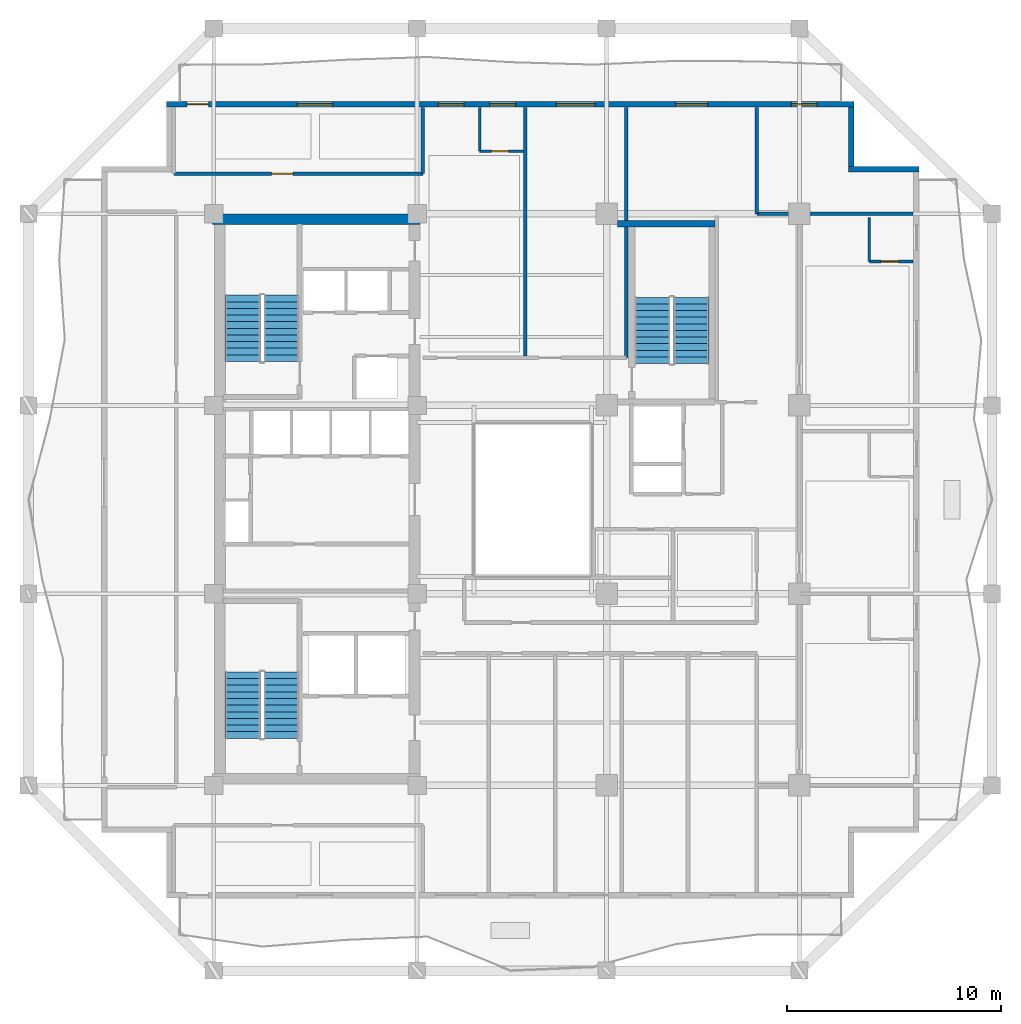
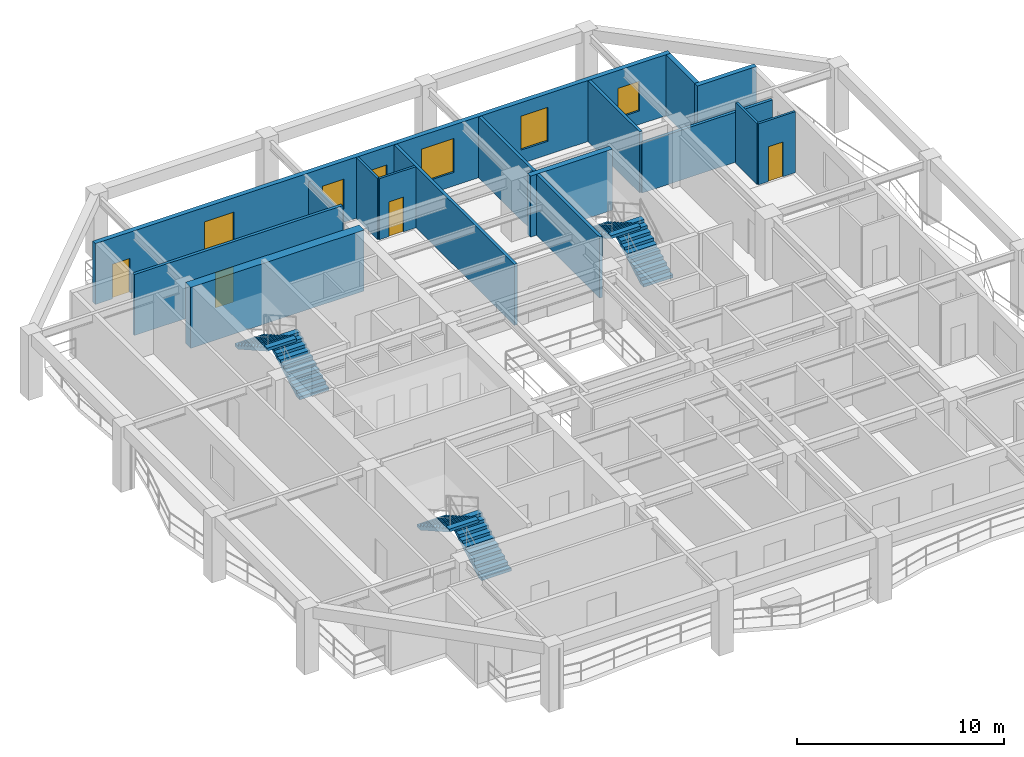
# One storey, part 6 of 10: 15 walls, 6 stair flights, 6 windows, 4 doors, 10 openings, 3 elements without a shape of their own.
"""IFC4 building model written with IfcOpenShell, lengths in metres."""

from ifc_helpers import new_model, si_unit, direction, frame, frame_2d, origin, place, context, subcontext, project, spatial, polyline, rectangle, outline, extrude, material, layer, layer_set, type_object, element, fill, aggregate, save


model = new_model("IFC4")

# Units and contexts
model_context = context("Model", 3, precision=1e-05, world=origin(), true_north=direction((0.0, 1.0)))
body_context = subcontext(model_context, "Body", "Model", "MODEL_VIEW")
ifc_project = project(units=[si_unit("LENGTHUNIT", "METRE"), si_unit("AREAUNIT", "SQUARE_METRE"), si_unit("VOLUMEUNIT", "CUBIC_METRE"), si_unit("PLANEANGLEUNIT", "RADIAN"), si_unit("MASSUNIT", "GRAM", prefix="KILO")], contexts=[model_context])

# Site, building, storey
site_placement = place(None, origin())
site = spatial("IfcSite", under=ifc_project, at=site_placement, CompositionType="ELEMENT")
building_placement = place(site_placement, origin())
building = spatial("IfcBuilding", under=site, at=building_placement, Name="Kundavana Baori Tower", CompositionType="ELEMENT")
storey_placement = place(building_placement, frame((0.0, 0.0, 138.64990234375)))
storey = spatial("IfcBuildingStorey", under=building, at=storey_placement, Name="L33", CompositionType="ELEMENT", Elevation=138.64990234375)

# Walls
ifc_material_1 = material(Name="Concrete C50/60", Category="concrete")
ifc_layer_1 = layer(ifc_material_1, 0.5, Name="WL-CORE-500")
ifc_layer_set_1 = layer_set([ifc_layer_1], Name="Concrete C50/60")
wall_type_1 = type_object("IfcWallType", Name="WL-CORE-500", PredefinedType="SHEAR", material=ifc_layer_set_1)
wall_1_placement = place(storey_placement, frame((15.39990234375, 41.68994140625, 0.0), z_axis=(0.0, 0.0, 1.0), x_axis=(1.0, 0.0, 0.0)))
element("IfcWall", 1, at=wall_1_placement, inside=storey, type_object=wall_type_1, Name="L33 Offset Core North Shear Wall", PredefinedType="SHEAR", context=body_context, shape_type="SweptSolid", body=[
    extrude(rectangle(XDim=9.68017578125, YDim=0.5, at=frame_2d((4.840087890625, 0.0))), origin(), (0.0, 0.0, 1.0), 3.60009765625),
])
ifc_material_2 = material(Name="Kiln-Fired Terracotta Brick-Slip Masonry on Concrete C40/50", Category="masonry")
ifc_layer_2 = layer(ifc_material_2, 0.260009765625, Name="WL-EXT-BRK-260")
ifc_layer_set_2 = layer_set([ifc_layer_2], Name="Kiln-Fired Terracotta Brick-Slip Masonry on Concrete C40/50")
wall_type_2 = type_object("IfcWallType", Name="WL-EXT-BRK-260", PredefinedType="SOLIDWALL", material=ifc_layer_set_2)
wall_2_placement = place(storey_placement, frame((48.39990234375, 44.02001953125, 0.0), z_axis=(0.0, 0.0, 1.0), x_axis=(-1.0, 0.0, 0.0)))
element("IfcWall", 2, at=wall_2_placement, inside=storey, type_object=wall_type_2, Name="L33 Exterior Insulated Facade Wall 05", PredefinedType="SOLIDWALL", context=body_context, shape_type="SweptSolid", body=[
    extrude(rectangle(XDim=3.309814453125, YDim=0.260009765625, at=frame_2d((1.65478515625, 0.0))), origin(), (0.0, 0.0, 1.0), 3.60009765625),
])
wall_3_placement = place(storey_placement, frame((45.219970703125, 44.14990234375, 0.0), z_axis=(0.0, 0.0, 1.0), x_axis=(0.0, 1.0, 0.0)))
element("IfcWall", 3, at=wall_3_placement, inside=storey, type_object=wall_type_2, Name="L33 Exterior Insulated Facade Wall 06", PredefinedType="SOLIDWALL", context=body_context, shape_type="SweptSolid", body=[
    extrude(rectangle(XDim=2.7900390625, YDim=0.260009765625, at=frame_2d((1.39501953125, 0.0))), origin(), (0.0, 0.0, 1.0), 3.60009765625),
])

# Wall, openings, door, windows
wall_4_placement = place(storey_placement, frame((45.35009765625, 47.070068359375, 0.0), z_axis=(0.0, 0.0, 1.0), x_axis=(-1.0, 0.0, 0.0)))
wall_4 = element("IfcWall", 4, at=wall_4_placement, inside=storey, type_object=wall_type_2, Name="L33 Exterior Insulated Facade Wall 07", PredefinedType="SOLIDWALL", context=body_context, shape_type="SweptSolid", body=[
    extrude(rectangle(XDim=32.10009765625, YDim=0.260009765625, at=frame_2d((16.050048828125, 0.0))), origin(), (0.0, 0.0, 1.0), 3.60009765625),
])
opening_1_placement = place(wall_4_placement, frame((30.14990234375, 0.0, 0.0)))
opening_1 = element("IfcOpeningElement", 5, at=opening_1_placement, cuts=wall_4, Name="Opening BD-1", PredefinedType="OPENING", context=body_context, shape_type="SweptSolid", body=[
    extrude(rectangle(XDim=1.0, YDim=2.050048828125, at=frame_2d((0.5, 1.02490234375))), frame((0.0, 0.14013671875, 0.0), z_axis=(0.0, -1.0, 0.0), x_axis=(1.0, 0.0, 0.0)), (0.0, 0.0, 1.0), 0.280029296875),
])
opening_2_placement = place(wall_4_placement, frame((24.344970703125, 0.0, 0.800048828125)))
opening_2 = element("IfcOpeningElement", 6, at=opening_2_placement, cuts=wall_4, Name="Opening W-08", PredefinedType="OPENING", context=body_context, shape_type="SweptSolid", body=[
    extrude(rectangle(XDim=1.64990234375, YDim=1.949951171875, at=frame_2d((0.824951171875, 0.97509765625))), frame((0.0, 0.14013671875, 0.0), z_axis=(0.0, -1.0, 0.0), x_axis=(1.0, 0.0, 0.0)), (0.0, 0.0, 1.0), 0.280029296875),
])
opening_3_placement = place(wall_4_placement, frame((18.205078125, 0.0, 0.800048828125)))
opening_3 = element("IfcOpeningElement", 7, at=opening_3_placement, cuts=wall_4, Name="Opening W-03", PredefinedType="OPENING", context=body_context, shape_type="SweptSolid", body=[
    extrude(rectangle(XDim=1.199951171875, YDim=1.75, at=frame_2d((0.60009765625, 0.875))), frame((0.0, 0.14013671875, 0.0), z_axis=(0.0, -1.0, 0.0), x_axis=(1.0, 0.0, 0.0)), (0.0, 0.0, 1.0), 0.280029296875),
])
opening_4_placement = place(wall_4_placement, frame((15.81494140625, 0.0, 0.800048828125)))
opening_4 = element("IfcOpeningElement", 8, at=opening_4_placement, cuts=wall_4, Name="Opening W-03", PredefinedType="OPENING", context=body_context, shape_type="SweptSolid", body=[
    extrude(rectangle(XDim=1.199951171875, YDim=1.75, at=frame_2d((0.60009765625, 0.875))), frame((0.0, 0.14013671875, 0.0), z_axis=(0.0, -1.0, 0.0), x_axis=(1.0, 0.0, 0.0)), (0.0, 0.0, 1.0), 0.280029296875),
])
opening_5_placement = place(wall_4_placement, frame((12.090087890625, 0.0, 0.800048828125)))
opening_5 = element("IfcOpeningElement", 9, at=opening_5_placement, cuts=wall_4, Name="Opening W-01", PredefinedType="OPENING", context=body_context, shape_type="SweptSolid", body=[
    extrude(rectangle(XDim=1.800048828125, YDim=2.0, at=frame_2d((0.89990234375, 1.0))), frame((0.0, 0.14013671875, 0.0), z_axis=(0.0, -1.0, 0.0), x_axis=(1.0, 0.0, 0.0)), (0.0, 0.0, 1.0), 0.280029296875),
])
opening_6_placement = place(wall_4_placement, frame((6.830078125, 0.0, 0.800048828125)))
opening_6 = element("IfcOpeningElement", 10, at=opening_6_placement, cuts=wall_4, Name="Opening W-02", PredefinedType="OPENING", context=body_context, shape_type="SweptSolid", body=[
    extrude(rectangle(XDim=1.5, YDim=2.0, at=frame_2d((0.75, 1.0))), frame((0.0, 0.14013671875, 0.0), z_axis=(0.0, -1.0, 0.0), x_axis=(1.0, 0.0, 0.0)), (0.0, 0.0, 1.0), 0.280029296875),
])
opening_7_placement = place(wall_4_placement, frame((1.719970703125, 0.0, 0.800048828125)))
opening_7 = element("IfcOpeningElement", 11, at=opening_7_placement, cuts=wall_4, Name="Opening W-03", PredefinedType="OPENING", context=body_context, shape_type="SweptSolid", body=[
    extrude(rectangle(XDim=1.199951171875, YDim=1.75, at=frame_2d((0.60009765625, 0.875))), frame((0.0, 0.14013671875, 0.0), z_axis=(0.0, -1.0, 0.0), x_axis=(1.0, 0.0, 0.0)), (0.0, 0.0, 1.0), 0.280029296875),
])
ifc_material_3 = material(Name="Architectural Patinated Bronze Metalwork")
door_type_1 = type_object("IfcDoorType", Name="DR-EXT-LOG-1000", OperationType="NOTDEFINED", PredefinedType="DOOR", material=ifc_material_3)
door_1_placement = place(opening_1_placement, frame((1.0, 0.0, 0.0), z_axis=(0.0, 0.0, 1.0), x_axis=(-1.0, 0.0, 0.0)))
door_1 = element("IfcDoor", 12, at=door_1_placement, inside=storey, type_object=door_type_1, Name="L33 Loggia Balcony Access Door N", OperationType="SINGLE_SWING_LEFT", OverallHeight=2.050048828125, OverallWidth=1.0, PredefinedType="DOOR", context=body_context, shape_type="SweptSolid", body=[
    extrude(rectangle(XDim=1.0, YDim=2.050048828125, at=frame_2d((0.5, 1.02490234375))), frame((0.0, 0.02490234375, 0.0), z_axis=(0.0, -1.0, 0.0), x_axis=(1.0, 0.0, 0.0)), (0.0, 0.0, 1.0), 0.050048828125),
])
fill(opening_1, door_1)
ifc_material_4 = material(Name="Double-Glazed Solar-Control Low-E Insulated Glass", Category="glass")
window_type_1 = type_object("IfcWindowType", Name="WIN-LOG-1200x1750", PartitioningType="SINGLE_PANEL", PredefinedType="WINDOW", material=ifc_material_4)
window_1_placement = place(opening_3_placement, origin())
window_1 = element("IfcWindow", 13, at=window_1_placement, inside=storey, type_object=window_type_1, Name="L33 Recessed Loggia Window N-2", OverallHeight=1.75, OverallWidth=1.199951171875, PartitioningType="SINGLE_PANEL", PredefinedType="WINDOW", context=body_context, shape_type="SweptSolid", body=[
    extrude(rectangle(XDim=1.199951171875, YDim=1.75, at=frame_2d((0.60009765625, 0.875))), frame((0.0, 0.030029296875, 0.0), z_axis=(0.0, -1.0, 0.0), x_axis=(1.0, 0.0, 0.0)), (0.0, 0.0, 1.0), 0.06005859375),
])
fill(opening_3, window_1)
window_2_placement = place(opening_4_placement, origin())
window_2 = element("IfcWindow", 14, at=window_2_placement, inside=storey, type_object=window_type_1, Name="L33 Recessed Loggia Window N-3", OverallHeight=1.75, OverallWidth=1.199951171875, PartitioningType="SINGLE_PANEL", PredefinedType="WINDOW", context=body_context, shape_type="SweptSolid", body=[
    extrude(rectangle(XDim=1.199951171875, YDim=1.75, at=frame_2d((0.60009765625, 0.875))), frame((0.0, 0.030029296875, 0.0), z_axis=(0.0, -1.0, 0.0), x_axis=(1.0, 0.0, 0.0)), (0.0, 0.0, 1.0), 0.06005859375),
])
fill(opening_4, window_2)
window_3_placement = place(opening_7_placement, origin())
window_3 = element("IfcWindow", 15, at=window_3_placement, inside=storey, type_object=window_type_1, Name="L33 Recessed Loggia Window N-6", OverallHeight=1.75, OverallWidth=1.199951171875, PartitioningType="SINGLE_PANEL", PredefinedType="WINDOW", context=body_context, shape_type="SweptSolid", body=[
    extrude(rectangle(XDim=1.199951171875, YDim=1.75, at=frame_2d((0.60009765625, 0.875))), frame((0.0, 0.030029296875, 0.0), z_axis=(0.0, -1.0, 0.0), x_axis=(1.0, 0.0, 0.0)), (0.0, 0.0, 1.0), 0.06005859375),
])
fill(opening_7, window_3)
ifc_material_5 = material(Name="Double-Glazed Solar-Control Low-E Insulated Glass", Category="glass")
window_type_2 = type_object("IfcWindowType", Name="WIN-LOG-1500x2000", PartitioningType="SINGLE_PANEL", PredefinedType="WINDOW", material=ifc_material_5)
window_4_placement = place(opening_6_placement, origin())
window_4 = element("IfcWindow", 16, at=window_4_placement, inside=storey, type_object=window_type_2, Name="L33 Recessed Loggia Window N-5", OverallHeight=2.0, OverallWidth=1.5, PartitioningType="SINGLE_PANEL", PredefinedType="WINDOW", context=body_context, shape_type="SweptSolid", body=[
    extrude(rectangle(XDim=1.5, YDim=2.0, at=frame_2d((0.75, 1.0))), frame((0.0, 0.030029296875, 0.0), z_axis=(0.0, -1.0, 0.0), x_axis=(1.0, 0.0, 0.0)), (0.0, 0.0, 1.0), 0.06005859375),
])
fill(opening_6, window_4)
ifc_material_6 = material(Name="Double-Glazed Solar-Control Low-E Insulated Glass", Category="glass")
window_type_3 = type_object("IfcWindowType", Name="WIN-LOG-1650x1950", PartitioningType="SINGLE_PANEL", PredefinedType="WINDOW", material=ifc_material_6)
window_5_placement = place(opening_2_placement, origin())
window_5 = element("IfcWindow", 17, at=window_5_placement, inside=storey, type_object=window_type_3, Name="L33 Recessed Loggia Window N-1", OverallHeight=1.949951171875, OverallWidth=1.64990234375, PartitioningType="SINGLE_PANEL", PredefinedType="WINDOW", context=body_context, shape_type="SweptSolid", body=[
    extrude(rectangle(XDim=1.64990234375, YDim=1.949951171875, at=frame_2d((0.824951171875, 0.97509765625))), frame((0.0, 0.030029296875, 0.0), z_axis=(0.0, -1.0, 0.0), x_axis=(1.0, 0.0, 0.0)), (0.0, 0.0, 1.0), 0.06005859375),
])
fill(opening_2, window_5)
ifc_material_7 = material(Name="Double-Glazed Solar-Control Low-E Insulated Glass", Category="glass")
window_type_4 = type_object("IfcWindowType", Name="WIN-LOG-1800x2000", PartitioningType="SINGLE_PANEL", PredefinedType="WINDOW", material=ifc_material_7)
window_6_placement = place(opening_5_placement, origin())
window_6 = element("IfcWindow", 18, at=window_6_placement, inside=storey, type_object=window_type_4, Name="L33 Recessed Loggia Window N-4", OverallHeight=2.0, OverallWidth=1.800048828125, PartitioningType="SINGLE_PANEL", PredefinedType="WINDOW", context=body_context, shape_type="SweptSolid", body=[
    extrude(rectangle(XDim=1.800048828125, YDim=2.0, at=frame_2d((0.89990234375, 1.0))), frame((0.0, 0.030029296875, 0.0), z_axis=(0.0, -1.0, 0.0), x_axis=(1.0, 0.0, 0.0)), (0.0, 0.0, 1.0), 0.06005859375),
])
fill(opening_5, window_6)

# Wall
ifc_material_8 = material(Name="Fire-Rated Gypsum Drywall on Galvanised Steel Studs", Category="steel")
ifc_layer_3 = layer(ifc_material_8, 0.1650390625, Name="WL-PART-165")
ifc_layer_set_3 = layer_set([ifc_layer_3], Name="Fire-Rated Gypsum Drywall on Galvanised Steel Studs")
wall_type_3 = type_object("IfcWallType", Name="WL-PART-165", PredefinedType="PARTITIONING", material=ifc_layer_set_3)
wall_5_placement = place(storey_placement, frame((40.820068359375, 41.949951171875, 0.0), z_axis=(0.0, 0.0, 1.0), x_axis=(1.0, 0.0, 0.0)))
element("IfcWall", 19, at=wall_5_placement, inside=storey, type_object=wall_type_3, Name="WL-L33-HEN", PredefinedType="PARTITIONING", context=body_context, shape_type="SweptSolid", body=[
    extrude(rectangle(XDim=7.300048828125, YDim=0.1650390625, at=frame_2d((3.64990234375, 0.0))), origin(), (0.0, 0.0, 1.0), 2.9501953125),
])

# Wall, opening, door
wall_6_placement = place(storey_placement, frame((13.590087890625, 43.820068359375, 0.0), z_axis=(0.0, 0.0, 1.0), x_axis=(1.0, 0.0, 0.0)))
wall_6 = element("IfcWall", 20, at=wall_6_placement, inside=storey, type_object=wall_type_3, Name="WL-L33-HNC", PredefinedType="PARTITIONING", context=body_context, shape_type="SweptSolid", body=[
    extrude(rectangle(XDim=11.6298828125, YDim=0.1650390625, at=frame_2d((5.81494140625, 0.0))), origin(), (0.0, 0.0, 1.0), 3.60009765625),
])
opening_8_placement = place(wall_6_placement, frame((4.56005859375, 0.0, 0.0)))
opening_8 = element("IfcOpeningElement", 21, at=opening_8_placement, cuts=wall_6, Name="Opening ID-100", PredefinedType="OPENING", context=body_context, shape_type="SweptSolid", body=[
    extrude(rectangle(XDim=1.0, YDim=2.080078125, at=frame_2d((0.5, 1.0400390625))), frame((0.0, 0.092529296875, 0.0), z_axis=(0.0, -1.0, 0.0), x_axis=(1.0, 0.0, 0.0)), (0.0, 0.0, 1.0), 0.18505859375),
])
ifc_material_9 = material(Name="Engineered Teak Solid-Core Timber Veneer", Category="wood")
door_type_2 = type_object("IfcDoorType", Name="DR-INT-1000", OperationType="NOTDEFINED", PredefinedType="DOOR", material=ifc_material_9)
door_2_placement = place(opening_8_placement, origin())
door_2 = element("IfcDoor", 22, at=door_2_placement, inside=storey, type_object=door_type_2, Name="DR-L33-HMNW", OperationType="SINGLE_SWING_RIGHT", OverallHeight=2.080078125, OverallWidth=1.0, PredefinedType="DOOR", context=body_context, shape_type="SweptSolid", body=[
    extrude(rectangle(XDim=1.0, YDim=2.080078125, at=frame_2d((0.5, 1.0400390625))), frame((0.0, 0.02490234375, 0.0), z_axis=(0.0, -1.0, 0.0), x_axis=(1.0, 0.0, 0.0)), (0.0, 0.0, 1.0), 0.050048828125),
])
fill(opening_8, door_2)

# Walls
wall_7_placement = place(storey_placement, frame((25.219970703125, 43.820068359375, 0.0), z_axis=(0.0, 0.0, 1.0), x_axis=(0.0, 1.0, 0.0)))
element("IfcWall", 23, at=wall_7_placement, inside=storey, type_object=wall_type_3, Name="WL-L33-HNCE", PredefinedType="PARTITIONING", context=body_context, shape_type="SweptSolid", body=[
    extrude(rectangle(XDim=3.099853515625, YDim=0.1650390625, at=frame_2d((1.5498046875, 0.0))), origin(), (0.0, 0.0, 1.0), 3.10009765625),
])
wall_8_placement = place(storey_placement, frame((34.719970703125, 35.219970703125, 0.0), z_axis=(0.0, 0.0, 1.0), x_axis=(0.0, 1.0, 0.0)))
element("IfcWall", 24, at=wall_8_placement, inside=storey, type_object=wall_type_3, Name="WL-L33-HNEND", PredefinedType="PARTITIONING", context=body_context, shape_type="SweptSolid", body=[
    extrude(rectangle(XDim=11.699951171875, YDim=0.1650390625, at=frame_2d((5.85009765625, 0.0))), origin(), (0.0, 0.0, 1.0), 3.60009765625),
])
wall_9_placement = place(storey_placement, frame((30.0, 35.300048828125, 0.0), z_axis=(0.0, 0.0, 1.0), x_axis=(0.0, 1.0, 0.0)))
element("IfcWall", 25, at=wall_9_placement, inside=storey, type_object=wall_type_3, Name="WL-L33-HND1", PredefinedType="PARTITIONING", context=body_context, shape_type="SweptSolid", body=[
    extrude(rectangle(XDim=11.619873046875, YDim=0.1650390625, at=frame_2d((5.81005859375, 0.0))), origin(), (0.0, 0.0, 1.0), 3.60009765625),
])
wall_10_placement = place(storey_placement, frame((40.820068359375, 41.949951171875, 0.0), z_axis=(0.0, 0.0, 1.0), x_axis=(0.0, 1.0, 0.0)))
element("IfcWall", 26, at=wall_10_placement, inside=storey, type_object=wall_type_3, Name="WL-L33-HNEE", PredefinedType="PARTITIONING", context=body_context, shape_type="SweptSolid", body=[
    extrude(rectangle(XDim=4.969970703125, YDim=0.1650390625, at=frame_2d((2.48486328125, 0.0))), origin(), (0.0, 0.0, 1.0), 3.60009765625),
])
ifc_material_10 = material(Name="Concrete C50/60", Category="concrete")
ifc_layer_4 = layer(ifc_material_10, 0.300048828125, Name="WL-ST3-300")
ifc_layer_set_4 = layer_set([ifc_layer_4], Name="Concrete C50/60")
wall_type_4 = type_object("IfcWallType", Name="WL-ST3-300", PredefinedType="SHEAR", material=ifc_layer_set_4)
wall_11_placement = place(storey_placement, frame((34.300048828125, 41.489990234375, 0.0), z_axis=(0.0, 0.0, 1.0), x_axis=(1.0, 0.0, 0.0)))
element("IfcWall", 27, at=wall_11_placement, inside=storey, type_object=wall_type_4, Name="L33 Stair ST3 North Shear Wall", PredefinedType="SHEAR", context=body_context, shape_type="SweptSolid", body=[
    extrude(rectangle(XDim=4.570068359375, YDim=0.300048828125, at=frame_2d((2.28515625, 0.0))), origin(), (0.0, 0.0, 1.0), 3.60009765625),
])
ifc_material_11 = material(Name="Autoclaved Aerated Concrete Blockwork Masonry", Category="masonry")
ifc_layer_5 = layer(ifc_material_11, 0.125, Name="WL-WET-120")
ifc_layer_set_5 = layer_set([ifc_layer_5], Name="Autoclaved Aerated Concrete Blockwork Masonry")
wall_type_5 = type_object("IfcWallType", Name="WL-WET-120", PredefinedType="PLUMBINGWALL", material=ifc_layer_set_5)
wall_12_placement = place(storey_placement, frame((46.070068359375, 39.719970703125, 0.0), z_axis=(0.0, 0.0, 1.0), x_axis=(0.0, 1.0, 0.0)))
element("IfcWall", 28, at=wall_12_placement, inside=storey, type_object=wall_type_5, Name="WL-L33-HK-E3-BW", PredefinedType="PLUMBINGWALL", context=body_context, shape_type="SweptSolid", body=[
    extrude(rectangle(XDim=2.050048828125, YDim=0.125, at=frame_2d((1.02490234375, 0.0))), origin(), (0.0, 0.0, 1.0), 3.60009765625),
])

# Wall, opening, door
wall_13_placement = place(storey_placement, frame((46.070068359375, 39.719970703125, 0.0), z_axis=(0.0, 0.0, 1.0), x_axis=(1.0, 0.0, 0.0)))
wall_13 = element("IfcWall", 29, at=wall_13_placement, inside=storey, type_object=wall_type_5, Name="WL-L33-HK-E3-BS", PredefinedType="PLUMBINGWALL", context=body_context, shape_type="SweptSolid", body=[
    extrude(rectangle(XDim=2.050048828125, YDim=0.125, at=frame_2d((1.02490234375, 0.0))), origin(), (0.0, 0.0, 1.0), 3.60009765625),
])
opening_9_placement = place(wall_13_placement, frame((0.550048828125, 0.0, 0.0)))
opening_9 = element("IfcOpeningElement", 30, at=opening_9_placement, cuts=wall_13, Name="Opening WD-080", PredefinedType="OPENING", context=body_context, shape_type="SweptSolid", body=[
    extrude(rectangle(XDim=0.800048828125, YDim=2.050048828125, at=frame_2d((0.39990234375, 1.02490234375))), frame((0.0, 0.072509765625, 0.0), z_axis=(0.0, -1.0, 0.0), x_axis=(1.0, 0.0, 0.0)), (0.0, 0.0, 1.0), 0.14501953125),
])
ifc_material_12 = material(Name="Engineered Teak Solid-Core Timber Veneer", Category="wood")
door_type_3 = type_object("IfcDoorType", Name="DR-WET-800", OperationType="NOTDEFINED", PredefinedType="DOOR", material=ifc_material_12)
door_3_placement = place(opening_9_placement, frame((0.800048828125, 0.0, 0.0), z_axis=(0.0, 0.0, 1.0), x_axis=(-1.0, 0.0, 0.0)))
door_3 = element("IfcDoor", 31, at=door_3_placement, inside=storey, type_object=door_type_3, Name="DR-L33-HK-E3-ENS", OperationType="SINGLE_SWING_LEFT", OverallHeight=2.050048828125, OverallWidth=0.800048828125, PredefinedType="DOOR", context=body_context, shape_type="SweptSolid", body=[
    extrude(rectangle(XDim=0.800048828125, YDim=2.050048828125, at=frame_2d((0.39990234375, 1.02490234375))), frame((0.0, 0.02490234375, 0.0), z_axis=(0.0, -1.0, 0.0), x_axis=(1.0, 0.0, 0.0)), (0.0, 0.0, 1.0), 0.050048828125),
])
fill(opening_9, door_3)

# Wall
wall_14_placement = place(storey_placement, frame((27.8701171875, 44.8701171875, 0.0), z_axis=(0.0, 0.0, 1.0), x_axis=(0.0, 1.0, 0.0)))
element("IfcWall", 32, at=wall_14_placement, inside=storey, type_object=wall_type_5, Name="WL-L33-HK-N1-BW", PredefinedType="PLUMBINGWALL", context=body_context, shape_type="SweptSolid", body=[
    extrude(rectangle(XDim=2.0498046875, YDim=0.125, at=frame_2d((1.02490234375, 0.0))), origin(), (0.0, 0.0, 1.0), 3.60009765625),
])

# Wall, opening, door
wall_15_placement = place(storey_placement, frame((27.8701171875, 44.8701171875, 0.0), z_axis=(0.0, 0.0, 1.0), x_axis=(1.0, 0.0, 0.0)))
wall_15 = element("IfcWall", 33, at=wall_15_placement, inside=storey, type_object=wall_type_5, Name="WL-L33-HK-N1-BS", PredefinedType="PLUMBINGWALL", context=body_context, shape_type="SweptSolid", body=[
    extrude(rectangle(XDim=2.0498046875, YDim=0.125, at=frame_2d((1.02490234375, 0.0))), origin(), (0.0, 0.0, 1.0), 3.60009765625),
])
opening_10_placement = place(wall_15_placement, frame((0.550048828125, 0.0, 0.0)))
opening_10 = element("IfcOpeningElement", 34, at=opening_10_placement, cuts=wall_15, Name="Opening WD-080", PredefinedType="OPENING", context=body_context, shape_type="SweptSolid", body=[
    extrude(rectangle(XDim=0.800048828125, YDim=2.050048828125, at=frame_2d((0.39990234375, 1.02490234375))), frame((0.0, 0.072509765625, 0.0), z_axis=(0.0, -1.0, 0.0), x_axis=(1.0, 0.0, 0.0)), (0.0, 0.0, 1.0), 0.14501953125),
])
door_4_placement = place(opening_10_placement, frame((0.800048828125, 0.0, 0.0), z_axis=(0.0, 0.0, 1.0), x_axis=(-1.0, 0.0, 0.0)))
door_4 = element("IfcDoor", 35, at=door_4_placement, inside=storey, type_object=door_type_3, Name="DR-L33-HK-N1-ENS", OperationType="SINGLE_SWING_LEFT", OverallHeight=2.050048828125, OverallWidth=0.800048828125, PredefinedType="DOOR", context=body_context, shape_type="SweptSolid", body=[
    extrude(rectangle(XDim=0.800048828125, YDim=2.050048828125, at=frame_2d((0.39990234375, 1.02490234375))), frame((0.0, 0.02490234375, 0.0), z_axis=(0.0, -1.0, 0.0), x_axis=(1.0, 0.0, 0.0)), (0.0, 0.0, 1.0), 0.050048828125),
])
fill(opening_10, door_4)

# Stair, stair flights
ifc_material_13 = material(Name="Concrete C40/50", Category="concrete")
stair_type = type_object("IfcStairType", Name="STR-DOG-1650", PredefinedType="HALF_TURN_STAIR", material=ifc_material_13)
stair_1_placement = place(storey_placement, origin())
stair_1 = element("IfcStair", 36, at=stair_1_placement, inside=storey, type_object=stair_type, Name="L33 Protected Exit Stair ST1", PredefinedType="HALF_TURN_STAIR")
ifc_material_14 = material(Name="Concrete C40/50", Category="concrete")
stair_flight_type = type_object("IfcStairFlightType", Name="SFL-RC-1650", PredefinedType="STRAIGHT", material=ifc_material_14)
stair_flight_1_placement = place(storey_placement, frame((18.614990234375, 17.449951171875, 0.0), z_axis=(0.0, 0.0, 1.0), x_axis=(0.0, 1.0, 0.0)))
stair_flight_1 = element("IfcStairFlight", 37, at=stair_flight_1_placement, type_object=stair_flight_type, Name="ST1 flight 1", NumberOfRisers=11, NumberOfTreads=10, PredefinedType="STRAIGHT", RiserHeight=0.175, TreadLength=0.31, context=body_context, shape_type="SweptSolid", body=[
    extrude(outline(polyline([(0.0, 0.0), (0.0, 0.175048828125), (0.31005859375, 0.175048828125), (0.31005859375, 0.35009765625), (0.6201171875, 0.35009765625), (0.6201171875, 0.52490234375), (0.929931640625, 0.52490234375), (0.929931640625, 0.699951171875), (1.239990234375, 0.699951171875), (1.239990234375, 0.875), (1.550048828125, 0.875), (1.550048828125, 1.050048828125), (1.860107421875, 1.050048828125), (1.860107421875, 1.22509765625), (2.169921875, 1.22509765625), (2.169921875, 1.39990234375), (2.47998046875, 1.39990234375), (2.47998046875, 1.574951171875), (2.7900390625, 1.574951171875), (2.7900390625, 1.75), (3.10009765625, 1.75), (3.10009765625, 1.925048828125), (3.10009765625, 1.577880859375), (0.304931640625, 0.0), (0.0, 0.0)])), frame((0.0, 0.824951171875, 0.0), z_axis=(0.0, -1.0, 0.0), x_axis=(1.0, 0.0, 0.0)), (0.0, 0.0, 1.0), 1.64990234375),
])
stair_flight_2_placement = place(storey_placement, frame((16.804931640625, 20.550048828125, 1.925048828125), z_axis=(0.0, 0.0, 1.0), x_axis=(0.0, -1.0, 0.0)))
stair_flight_2 = element("IfcStairFlight", 38, at=stair_flight_2_placement, type_object=stair_flight_type, Name="ST1 flight 2", NumberOfRisers=11, NumberOfTreads=10, PredefinedType="STRAIGHT", RiserHeight=0.175, TreadLength=0.31, context=body_context, shape_type="SweptSolid", body=[
    extrude(outline(polyline([(0.0, 0.0), (0.0, 0.175048828125), (0.31005859375, 0.175048828125), (0.31005859375, 0.35009765625), (0.6201171875, 0.35009765625), (0.6201171875, 0.52490234375), (0.929931640625, 0.52490234375), (0.929931640625, 0.699951171875), (1.239990234375, 0.699951171875), (1.239990234375, 0.875), (1.550048828125, 0.875), (1.550048828125, 1.050048828125), (1.860107421875, 1.050048828125), (1.860107421875, 1.22509765625), (2.169921875, 1.22509765625), (2.169921875, 1.39990234375), (2.47998046875, 1.39990234375), (2.47998046875, 1.574951171875), (2.7900390625, 1.574951171875), (2.7900390625, 1.75), (3.10009765625, 1.75), (3.10009765625, 1.925048828125), (3.10009765625, 1.577880859375), (0.304931640625, 0.0), (0.0, 0.0)])), frame((0.0, 0.824951171875, 0.0), z_axis=(0.0, -1.0, 0.0), x_axis=(1.0, 0.0, 0.0)), (0.0, 0.0, 1.0), 1.64990234375),
])
aggregate(stair_1, [stair_flight_1, stair_flight_2])

stair_2_placement = place(storey_placement, origin())
stair_2 = element("IfcStair", 39, at=stair_2_placement, inside=storey, type_object=stair_type, Name="L33 Protected Exit Stair ST2", PredefinedType="HALF_TURN_STAIR")
stair_flight_3_placement = place(storey_placement, frame((18.614990234375, 35.050048828125, 0.0), z_axis=(0.0, 0.0, 1.0), x_axis=(0.0, 1.0, 0.0)))
stair_flight_3 = element("IfcStairFlight", 40, at=stair_flight_3_placement, type_object=stair_flight_type, Name="ST2 flight 1", NumberOfRisers=11, NumberOfTreads=10, PredefinedType="STRAIGHT", RiserHeight=0.175, TreadLength=0.31, context=body_context, shape_type="SweptSolid", body=[
    extrude(outline(polyline([(0.0, 0.0), (0.0, 0.175048828125), (0.31005859375, 0.175048828125), (0.31005859375, 0.35009765625), (0.6201171875, 0.35009765625), (0.6201171875, 0.52490234375), (0.929931640625, 0.52490234375), (0.929931640625, 0.699951171875), (1.239990234375, 0.699951171875), (1.239990234375, 0.875), (1.550048828125, 0.875), (1.550048828125, 1.050048828125), (1.860107421875, 1.050048828125), (1.860107421875, 1.22509765625), (2.169921875, 1.22509765625), (2.169921875, 1.39990234375), (2.47998046875, 1.39990234375), (2.47998046875, 1.574951171875), (2.7900390625, 1.574951171875), (2.7900390625, 1.75), (3.10009765625, 1.75), (3.10009765625, 1.925048828125), (3.10009765625, 1.577880859375), (0.304931640625, 0.0), (0.0, 0.0)])), frame((0.0, 0.824951171875, 0.0), z_axis=(0.0, -1.0, 0.0), x_axis=(1.0, 0.0, 0.0)), (0.0, 0.0, 1.0), 1.64990234375),
])
stair_flight_4_placement = place(storey_placement, frame((16.804931640625, 38.14990234375, 1.925048828125), z_axis=(0.0, 0.0, 1.0), x_axis=(0.0, -1.0, 0.0)))
stair_flight_4 = element("IfcStairFlight", 41, at=stair_flight_4_placement, type_object=stair_flight_type, Name="ST2 flight 2", NumberOfRisers=11, NumberOfTreads=10, PredefinedType="STRAIGHT", RiserHeight=0.175, TreadLength=0.31, context=body_context, shape_type="SweptSolid", body=[
    extrude(outline(polyline([(0.0, 0.0), (0.0, 0.175048828125), (0.31005859375, 0.175048828125), (0.31005859375, 0.35009765625), (0.6201171875, 0.35009765625), (0.6201171875, 0.52490234375), (0.929931640625, 0.52490234375), (0.929931640625, 0.699951171875), (1.239990234375, 0.699951171875), (1.239990234375, 0.875), (1.550048828125, 0.875), (1.550048828125, 1.050048828125), (1.860107421875, 1.050048828125), (1.860107421875, 1.22509765625), (2.169921875, 1.22509765625), (2.169921875, 1.39990234375), (2.47998046875, 1.39990234375), (2.47998046875, 1.574951171875), (2.7900390625, 1.574951171875), (2.7900390625, 1.75), (3.10009765625, 1.75), (3.10009765625, 1.925048828125), (3.10009765625, 1.577880859375), (0.304931640625, 0.0), (0.0, 0.0)])), frame((0.0, 0.824951171875, 0.0), z_axis=(0.0, -1.0, 0.0), x_axis=(1.0, 0.0, 0.0)), (0.0, 0.0, 1.0), 1.64990234375),
])
aggregate(stair_2, [stair_flight_3, stair_flight_4])

stair_3_placement = place(storey_placement, origin())
stair_3 = element("IfcStair", 42, at=stair_3_placement, inside=storey, type_object=stair_type, Name="L33 Protected Exit Stair ST3", PredefinedType="HALF_TURN_STAIR")
stair_flight_5_placement = place(storey_placement, frame((37.7548828125, 34.949951171875, 0.0), z_axis=(0.0, 0.0, 1.0), x_axis=(0.0, 1.0, 0.0)))
stair_flight_5 = element("IfcStairFlight", 43, at=stair_flight_5_placement, type_object=stair_flight_type, Name="ST3 flight 1", NumberOfRisers=11, NumberOfTreads=10, PredefinedType="STRAIGHT", RiserHeight=0.175, TreadLength=0.31, context=body_context, shape_type="SweptSolid", body=[
    extrude(outline(polyline([(0.0, 0.0), (0.0, 0.175048828125), (0.31005859375, 0.175048828125), (0.31005859375, 0.35009765625), (0.6201171875, 0.35009765625), (0.6201171875, 0.52490234375), (0.929931640625, 0.52490234375), (0.929931640625, 0.699951171875), (1.239990234375, 0.699951171875), (1.239990234375, 0.875), (1.550048828125, 0.875), (1.550048828125, 1.050048828125), (1.860107421875, 1.050048828125), (1.860107421875, 1.22509765625), (2.169921875, 1.22509765625), (2.169921875, 1.39990234375), (2.47998046875, 1.39990234375), (2.47998046875, 1.574951171875), (2.7900390625, 1.574951171875), (2.7900390625, 1.75), (3.10009765625, 1.75), (3.10009765625, 1.925048828125), (3.10009765625, 1.577880859375), (0.304931640625, 0.0), (0.0, 0.0)])), frame((0.0, 0.824951171875, 0.0), z_axis=(0.0, -1.0, 0.0), x_axis=(1.0, 0.0, 0.0)), (0.0, 0.0, 1.0), 1.64990234375),
])
stair_flight_6_placement = place(storey_placement, frame((35.945068359375, 38.050048828125, 1.925048828125), z_axis=(0.0, 0.0, 1.0), x_axis=(0.0, -1.0, 0.0)))
stair_flight_6 = element("IfcStairFlight", 44, at=stair_flight_6_placement, type_object=stair_flight_type, Name="ST3 flight 2", NumberOfRisers=11, NumberOfTreads=10, PredefinedType="STRAIGHT", RiserHeight=0.175, TreadLength=0.31, context=body_context, shape_type="SweptSolid", body=[
    extrude(outline(polyline([(0.0, 0.0), (0.0, 0.175048828125), (0.31005859375, 0.175048828125), (0.31005859375, 0.35009765625), (0.6201171875, 0.35009765625), (0.6201171875, 0.52490234375), (0.929931640625, 0.52490234375), (0.929931640625, 0.699951171875), (1.239990234375, 0.699951171875), (1.239990234375, 0.875), (1.550048828125, 0.875), (1.550048828125, 1.050048828125), (1.860107421875, 1.050048828125), (1.860107421875, 1.22509765625), (2.169921875, 1.22509765625), (2.169921875, 1.39990234375), (2.47998046875, 1.39990234375), (2.47998046875, 1.574951171875), (2.7900390625, 1.574951171875), (2.7900390625, 1.75), (3.10009765625, 1.75), (3.10009765625, 1.925048828125), (3.10009765625, 1.577880859375), (0.304931640625, 0.0), (0.0, 0.0)])), frame((0.0, 0.824951171875, 0.0), z_axis=(0.0, -1.0, 0.0), x_axis=(1.0, 0.0, 0.0)), (0.0, 0.0, 1.0), 1.64990234375),
])
aggregate(stair_3, [stair_flight_5, stair_flight_6])

save(model, "model.ifc")
